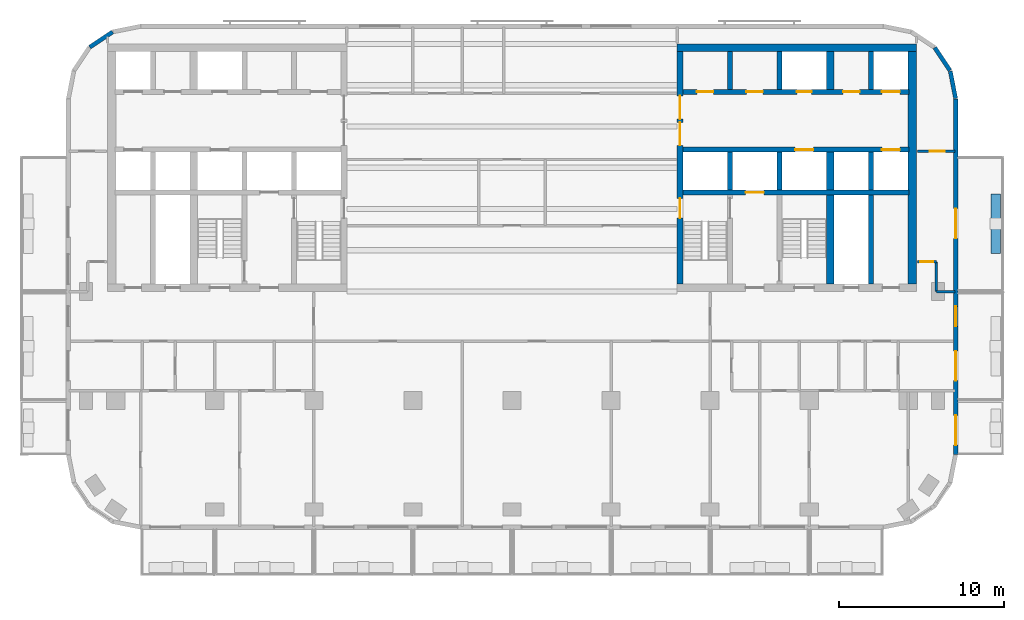
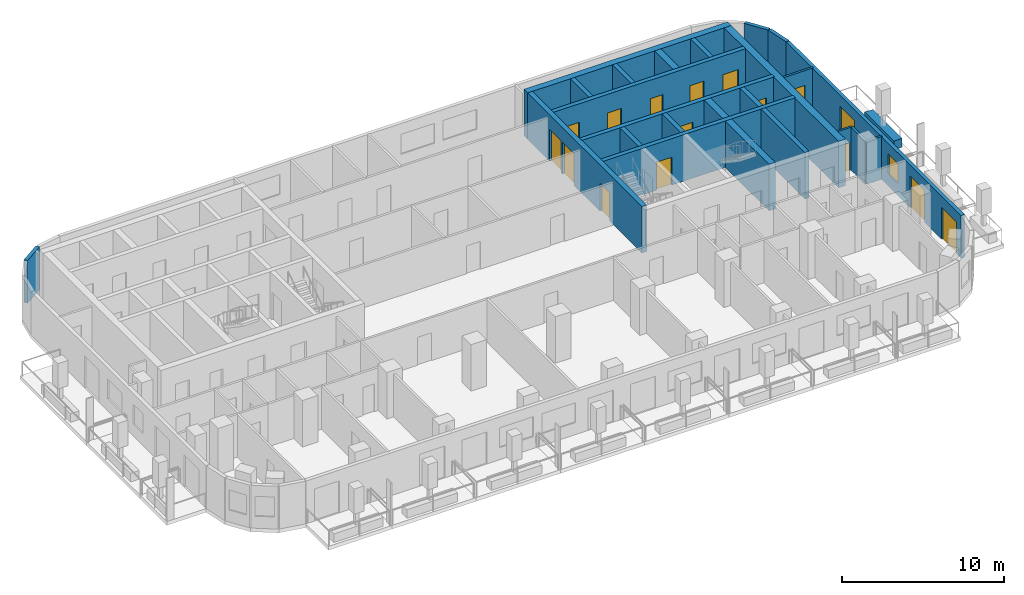
# One storey, part 6 of 11: 25 walls, 16 doors, 1 window, 17 openings.
"""IFC4 building model written with IfcOpenShell, lengths in metres."""

from ifc_helpers import new_model, si_unit, direction, frame, frame_2d, origin, place, context, subcontext, project, spatial, rectangle, extrude, material, layer, layer_set, type_object, element, fill, save


model = new_model("IFC4")

# Units and contexts
model_context = context("Model", 3, precision=1e-05, world=origin(), true_north=direction((0.0, 1.0)))
body_context = subcontext(model_context, "Body", "Model", "MODEL_VIEW")
ifc_project = project(units=[si_unit("LENGTHUNIT", "METRE"), si_unit("AREAUNIT", "SQUARE_METRE"), si_unit("VOLUMEUNIT", "CUBIC_METRE"), si_unit("PLANEANGLEUNIT", "RADIAN"), si_unit("MASSUNIT", "GRAM", prefix="KILO")], contexts=[model_context])

# Site, building, storey
site_placement = place(None, origin())
site = spatial("IfcSite", under=ifc_project, at=site_placement, CompositionType="ELEMENT")
building_placement = place(site_placement, origin())
building = spatial("IfcBuilding", under=site, at=building_placement, Name="Torana Hotel and Residences", CompositionType="ELEMENT")
storey_placement = place(building_placement, frame((0.0, 0.0, 232.60009765625)))
storey = spatial("IfcBuildingStorey", under=building, at=storey_placement, Name="L61", CompositionType="ELEMENT", Elevation=232.60009765625)

# Wall, openings, doors
ifc_material_1 = material(Name="Concrete C70/85", Category="concrete")
ifc_layer_1 = layer(ifc_material_1, 0.300048828125)
ifc_layer_set_1 = layer_set([ifc_layer_1], Name="CORE WALL 300 C70/85")
wall_type_1 = type_object("IfcWallType", Name="CORE WALL 300 C70/85", PredefinedType="SHEAR", material=ifc_layer_set_1)
wall_1_placement = place(storey_placement, frame((10.35009765625, -2.89990234375, 0.0), z_axis=(0.0, 0.0, 1.0), x_axis=(1.0, 0.0, 0.0)))
wall_1 = element("IfcWall", 1, at=wall_1_placement, inside=storey, type_object=wall_type_1, Name="Core wall E row-N", PredefinedType="SHEAR", context=body_context, shape_type="SweptSolid", body=[
    extrude(rectangle(XDim=13.699951171875, YDim=0.300048828125, at=frame_2d((6.85009765625, 0.0))), origin(), (0.0, 0.0, 1.0), 3.5),
])
opening_1_placement = place(wall_1_placement, frame((12.050048828125, 0.0, 0.0)))
opening_1 = element("IfcOpeningElement", 2, at=opening_1_placement, cuts=wall_1, Name="Opening LD", PredefinedType="OPENING", context=body_context, shape_type="SweptSolid", body=[
    extrude(rectangle(XDim=1.10009765625, YDim=2.10009765625, at=frame_2d((0.550048828125, 1.050048828125))), frame((0.0, 0.159912109375, 0.0), z_axis=(0.0, -1.0, 0.0), x_axis=(1.0, 0.0, 0.0)), (0.0, 0.0, 1.0), 0.320068359375),
])
opening_2_placement = place(wall_1_placement, frame((6.89990234375, 0.0, 0.0)))
opening_2 = element("IfcOpeningElement", 3, at=opening_2_placement, cuts=wall_1, Name="Opening L61-21", PredefinedType="OPENING", context=body_context, shape_type="SweptSolid", body=[
    extrude(rectangle(XDim=0.89990234375, YDim=2.10009765625, at=frame_2d((0.449951171875, 1.050048828125))), frame((0.0, 0.159912109375, 0.0), z_axis=(0.0, -1.0, 0.0), x_axis=(1.0, 0.0, 0.0)), (0.0, 0.0, 1.0), 0.320068359375),
])
opening_3_placement = place(wall_1_placement, frame((0.85009765625, 0.0, 0.0)))
opening_3 = element("IfcOpeningElement", 4, at=opening_3_placement, cuts=wall_1, Name="Opening L61-22", PredefinedType="OPENING", context=body_context, shape_type="SweptSolid", body=[
    extrude(rectangle(XDim=1.0, YDim=2.10009765625, at=frame_2d((0.5, 1.050048828125))), frame((0.0, 0.159912109375, 0.0), z_axis=(0.0, -1.0, 0.0), x_axis=(1.0, 0.0, 0.0)), (0.0, 0.0, 1.0), 0.320068359375),
])
opening_4_placement = place(wall_1_placement, frame((3.85009765625, 0.0, 0.0)))
opening_4 = element("IfcOpeningElement", 5, at=opening_4_placement, cuts=wall_1, Name="Opening L61-23", PredefinedType="OPENING", context=body_context, shape_type="SweptSolid", body=[
    extrude(rectangle(XDim=1.0, YDim=2.10009765625, at=frame_2d((0.5, 1.050048828125))), frame((0.0, 0.159912109375, 0.0), z_axis=(0.0, -1.0, 0.0), x_axis=(1.0, 0.0, 0.0)), (0.0, 0.0, 1.0), 0.320068359375),
])
opening_5_placement = place(wall_1_placement, frame((9.699951171875, 0.0, 0.0)))
opening_5 = element("IfcOpeningElement", 6, at=opening_5_placement, cuts=wall_1, Name="Opening L61-24", PredefinedType="OPENING", context=body_context, shape_type="SweptSolid", body=[
    extrude(rectangle(XDim=1.0, YDim=2.10009765625, at=frame_2d((0.5, 1.050048828125))), frame((0.0, 0.159912109375, 0.0), z_axis=(0.0, -1.0, 0.0), x_axis=(1.0, 0.0, 0.0)), (0.0, 0.0, 1.0), 0.320068359375),
])
ifc_material_2 = material(Name="Steel S235", Category="steel")
door_type_1 = type_object("IfcDoorType", Name="CORE ROOM FIRE DOOR D14 1000x2100", OperationType="SINGLE_SWING_LEFT", PredefinedType="DOOR", material=ifc_material_2)
door_1_placement = place(opening_3_placement, origin())
door_1 = element("IfcDoor", 7, at=door_1_placement, inside=storey, type_object=door_type_1, Name="N0 door L61", OperationType="SINGLE_SWING_RIGHT", OverallHeight=2.10009765625, OverallWidth=1.0, PredefinedType="DOOR", context=body_context, shape_type="SweptSolid", body=[
    extrude(rectangle(XDim=1.0, YDim=2.10009765625, at=frame_2d((0.5, 1.050048828125))), frame((0.0, 0.02490234375, 0.0), z_axis=(0.0, -1.0, 0.0), x_axis=(1.0, 0.0, 0.0)), (0.0, 0.0, 1.0), 0.050048828125),
])
fill(opening_3, door_1)
door_2_placement = place(opening_4_placement, origin())
door_2 = element("IfcDoor", 8, at=door_2_placement, inside=storey, type_object=door_type_1, Name="N1 door L61", OperationType="SINGLE_SWING_RIGHT", OverallHeight=2.10009765625, OverallWidth=1.0, PredefinedType="DOOR", context=body_context, shape_type="SweptSolid", body=[
    extrude(rectangle(XDim=1.0, YDim=2.10009765625, at=frame_2d((0.5, 1.050048828125))), frame((0.0, 0.02490234375, 0.0), z_axis=(0.0, -1.0, 0.0), x_axis=(1.0, 0.0, 0.0)), (0.0, 0.0, 1.0), 0.050048828125),
])
fill(opening_4, door_2)
door_3_placement = place(opening_5_placement, origin())
door_3 = element("IfcDoor", 9, at=door_3_placement, inside=storey, type_object=door_type_1, Name="Freed-S2 door L61", OperationType="SINGLE_SWING_RIGHT", OverallHeight=2.10009765625, OverallWidth=1.0, PredefinedType="DOOR", context=body_context, shape_type="SweptSolid", body=[
    extrude(rectangle(XDim=1.0, YDim=2.10009765625, at=frame_2d((0.5, 1.050048828125))), frame((0.0, 0.02490234375, 0.0), z_axis=(0.0, -1.0, 0.0), x_axis=(1.0, 0.0, 0.0)), (0.0, 0.0, 1.0), 0.050048828125),
])
fill(opening_5, door_3)
ifc_material_3 = material(Name="Stainless steel 316", Category="steel")
door_type_2 = type_object("IfcDoorType", Name="LIFT LANDING DOOR LD 1100x2100", OperationType="DOUBLE_DOOR_SLIDING", PredefinedType="USERDEFINED", material=ifc_material_3)
door_4_placement = place(opening_1_placement, origin())
door_4 = element("IfcDoor", 10, at=door_4_placement, inside=storey, type_object=door_type_2, Name="Lift landing door M3 L61", ObjectType="LIFT LANDING DOOR", OperationType="DOUBLE_DOOR_SLIDING", OverallHeight=2.10009765625, OverallWidth=1.10009765625, PredefinedType="USERDEFINED", context=body_context, shape_type="SweptSolid", body=[
    extrude(rectangle(XDim=1.10009765625, YDim=2.10009765625, at=frame_2d((0.550048828125, 1.050048828125))), frame((0.0, 0.02490234375, 0.0), z_axis=(0.0, -1.0, 0.0), x_axis=(1.0, 0.0, 0.0)), (0.0, 0.0, 1.0), 0.050048828125),
])
fill(opening_1, door_4)
ifc_material_4 = material(Name="Steel S235", Category="steel")
door_type_3 = type_object("IfcDoorType", Name="RISER ACCESS DOOR D5 900x2100", OperationType="SINGLE_SWING_LEFT", PredefinedType="DOOR", material=ifc_material_4)
door_5_placement = place(opening_2_placement, origin())
door_5 = element("IfcDoor", 11, at=door_5_placement, inside=storey, type_object=door_type_3, Name="N2 door L61", OperationType="SINGLE_SWING_RIGHT", OverallHeight=2.10009765625, OverallWidth=0.89990234375, PredefinedType="DOOR", context=body_context, shape_type="SweptSolid", body=[
    extrude(rectangle(XDim=0.89990234375, YDim=2.10009765625, at=frame_2d((0.449951171875, 1.050048828125))), frame((0.0, 0.02490234375, 0.0), z_axis=(0.0, -1.0, 0.0), x_axis=(1.0, 0.0, 0.0)), (0.0, 0.0, 1.0), 0.050048828125),
])
fill(opening_2, door_5)

wall_2_placement = place(storey_placement, frame((10.35009765625, -6.39990234375, 0.0), z_axis=(0.0, 0.0, 1.0), x_axis=(1.0, 0.0, 0.0)))
wall_2 = element("IfcWall", 12, at=wall_2_placement, inside=storey, type_object=wall_type_1, Name="Core wall E row-S", PredefinedType="SHEAR", context=body_context, shape_type="SweptSolid", body=[
    extrude(rectangle(XDim=13.699951171875, YDim=0.300048828125, at=frame_2d((6.85009765625, 0.0))), origin(), (0.0, 0.0, 1.0), 3.5),
])
opening_6_placement = place(wall_2_placement, frame((12.050048828125, 0.0, 0.0)))
opening_6 = element("IfcOpeningElement", 13, at=opening_6_placement, cuts=wall_2, Name="Opening LD", PredefinedType="OPENING", context=body_context, shape_type="SweptSolid", body=[
    extrude(rectangle(XDim=1.10009765625, YDim=2.10009765625, at=frame_2d((0.550048828125, 1.050048828125))), frame((0.0, 0.159912109375, 0.0), z_axis=(0.0, -1.0, 0.0), x_axis=(1.0, 0.0, 0.0)), (0.0, 0.0, 1.0), 0.320068359375),
])
opening_7_placement = place(wall_2_placement, frame((6.800048828125, 0.0, 0.0)))
opening_7 = element("IfcOpeningElement", 14, at=opening_7_placement, cuts=wall_2, Name="Opening LD", PredefinedType="OPENING", context=body_context, shape_type="SweptSolid", body=[
    extrude(rectangle(XDim=1.10009765625, YDim=2.10009765625, at=frame_2d((0.550048828125, 1.050048828125))), frame((0.0, 0.159912109375, 0.0), z_axis=(0.0, -1.0, 0.0), x_axis=(1.0, 0.0, 0.0)), (0.0, 0.0, 1.0), 0.320068359375),
])
door_6_placement = place(opening_6_placement, origin())
door_6 = element("IfcDoor", 15, at=door_6_placement, inside=storey, type_object=door_type_2, Name="Lift landing door M4 L61", ObjectType="LIFT LANDING DOOR", OperationType="DOUBLE_DOOR_SLIDING", OverallHeight=2.10009765625, OverallWidth=1.10009765625, PredefinedType="USERDEFINED", context=body_context, shape_type="SweptSolid", body=[
    extrude(rectangle(XDim=1.10009765625, YDim=2.10009765625, at=frame_2d((0.550048828125, 1.050048828125))), frame((0.0, 0.02490234375, 0.0), z_axis=(0.0, -1.0, 0.0), x_axis=(1.0, 0.0, 0.0)), (0.0, 0.0, 1.0), 0.050048828125),
])
fill(opening_6, door_6)
door_7_placement = place(opening_7_placement, origin())
door_7 = element("IfcDoor", 16, at=door_7_placement, inside=storey, type_object=door_type_2, Name="Lift landing door SV2 L61", ObjectType="LIFT LANDING DOOR", OperationType="DOUBLE_DOOR_SLIDING", OverallHeight=2.10009765625, OverallWidth=1.10009765625, PredefinedType="USERDEFINED", context=body_context, shape_type="SweptSolid", body=[
    extrude(rectangle(XDim=1.10009765625, YDim=2.10009765625, at=frame_2d((0.550048828125, 1.050048828125))), frame((0.0, 0.02490234375, 0.0), z_axis=(0.0, -1.0, 0.0), x_axis=(1.0, 0.0, 0.0)), (0.0, 0.0, 1.0), 0.050048828125),
])
fill(opening_7, door_7)

# Wall, opening, door
wall_3_placement = place(storey_placement, frame((10.35009765625, -9.0, 0.0), z_axis=(0.0, 0.0, 1.0), x_axis=(1.0, 0.0, 0.0)))
wall_3 = element("IfcWall", 17, at=wall_3_placement, inside=storey, type_object=wall_type_1, Name="Core wall E band", PredefinedType="SHEAR", context=body_context, shape_type="SweptSolid", body=[
    extrude(rectangle(XDim=13.699951171875, YDim=0.300048828125, at=frame_2d((6.85009765625, 0.0))), origin(), (0.0, 0.0, 1.0), 3.5),
])
opening_8_placement = place(wall_3_placement, frame((3.800048828125, 0.0, 0.0)))
opening_8 = element("IfcOpeningElement", 18, at=opening_8_placement, cuts=wall_3, Name="Opening LD", PredefinedType="OPENING", context=body_context, shape_type="SweptSolid", body=[
    extrude(rectangle(XDim=1.10009765625, YDim=2.10009765625, at=frame_2d((0.550048828125, 1.050048828125))), frame((0.0, 0.159912109375, 0.0), z_axis=(0.0, -1.0, 0.0), x_axis=(1.0, 0.0, 0.0)), (0.0, 0.0, 1.0), 0.320068359375),
])
door_8_placement = place(opening_8_placement, origin())
door_8 = element("IfcDoor", 19, at=door_8_placement, inside=storey, type_object=door_type_2, Name="Lift landing door FF2 L61", ObjectType="LIFT LANDING DOOR", OperationType="DOUBLE_DOOR_SLIDING", OverallHeight=2.10009765625, OverallWidth=1.10009765625, PredefinedType="USERDEFINED", context=body_context, shape_type="SweptSolid", body=[
    extrude(rectangle(XDim=1.10009765625, YDim=2.10009765625, at=frame_2d((0.550048828125, 1.050048828125))), frame((0.0, 0.02490234375, 0.0), z_axis=(0.0, -1.0, 0.0), x_axis=(1.0, 0.0, 0.0)), (0.0, 0.0, 1.0), 0.050048828125),
])
fill(opening_8, door_8)

# Walls
for number, where, z_axis, x_axis, name in (
    (20, (13.199951171875, -2.75, 0.0), (0.0, 0.0, 1.0), (0.0, 1.0, 0.0), "Core wall E x3.05-N"),
    (21, (13.199951171875, -8.85009765625, 0.0), (0.0, 0.0, 1.0), (0.0, 1.0, 0.0), "Core wall E x3.05-S"),
    (22, (16.199951171875, -2.75, 0.0), (0.0, 0.0, 1.0), (0.0, 1.0, 0.0), "Core wall E x6.05-N"),
    (23, (16.199951171875, -8.85009765625, 0.0), (0.0, 0.0, 1.0), (0.0, 1.0, 0.0), "Core wall E x6.05-S"),
    (24, (21.75, -2.75, 0.0), (0.0, 0.0, 1.0), (0.0, 1.0, 0.0), "Core wall E mm-N"),
    (25, (21.75, -8.85009765625, 0.0), (0.0, 0.0, 1.0), (0.0, 1.0, 0.0), "Core wall E mm-S"),
):
    element("IfcWall", number, at=place(storey_placement, frame(where, z_axis=z_axis, x_axis=x_axis)), inside=storey, type_object=wall_type_1, Name=name, PredefinedType="SHEAR", context=body_context, shape_type="SweptSolid", body=[
        extrude(rectangle(XDim=2.300048828125, YDim=0.300048828125, at=frame_2d((1.14990234375, 0.0))), origin(), (0.0, 0.0, 1.0), 3.5),
    ])
wall_4_placement = place(storey_placement, frame((21.75, -14.550048828125, 0.0), z_axis=(0.0, 0.0, 1.0), x_axis=(0.0, 1.0, 0.0)))
element("IfcWall", 26, at=wall_4_placement, inside=storey, type_object=wall_type_1, Name="Core wall E mm-band", PredefinedType="SHEAR", context=body_context, shape_type="SweptSolid", body=[
    extrude(rectangle(XDim=5.400146484375, YDim=0.300048828125, at=frame_2d((2.7001953125, 0.0))), origin(), (0.0, 0.0, 1.0), 3.5),
])

# Wall, openings, doors
ifc_material_5 = material(Name="Concrete C70/85", Category="concrete")
ifc_layer_2 = layer(ifc_material_5, 0.35009765625)
ifc_layer_set_2 = layer_set([ifc_layer_2], Name="CORE WALL 350 C70/85")
wall_type_2 = type_object("IfcWallType", Name="CORE WALL 350 C70/85", PredefinedType="SHEAR", material=ifc_layer_set_2)
wall_5_placement = place(storey_placement, frame((10.175048828125, -14.550048828125, 0.0), z_axis=(0.0, 0.0, 1.0), x_axis=(0.0, 1.0, 0.0)))
wall_5 = element("IfcWall", 27, at=wall_5_placement, inside=storey, type_object=wall_type_2, Name="Core wall E arch", PredefinedType="SHEAR", context=body_context, shape_type="SweptSolid", body=[
    extrude(rectangle(XDim=14.10009765625, YDim=0.35009765625, at=frame_2d((7.050048828125, 0.0))), origin(), (0.0, 0.0, 1.0), 3.5),
])
opening_9_placement = place(wall_5_placement, frame((8.39990234375, 0.0, 0.0)))
opening_9 = element("IfcOpeningElement", 28, at=opening_9_placement, cuts=wall_5, Name="Opening L61-14", PredefinedType="OPENING", context=body_context, shape_type="SweptSolid", body=[
    extrude(rectangle(XDim=1.39990234375, YDim=2.39990234375, at=frame_2d((0.699951171875, 1.199951171875))), frame((0.0, 0.18505859375, 0.0), z_axis=(0.0, -1.0, 0.0), x_axis=(1.0, 0.0, 0.0)), (0.0, 0.0, 1.0), 0.3701171875),
])
opening_10_placement = place(wall_5_placement, frame((10.0, 0.0, 0.0)))
opening_10 = element("IfcOpeningElement", 29, at=opening_10_placement, cuts=wall_5, Name="Opening L61-15", PredefinedType="OPENING", context=body_context, shape_type="SweptSolid", body=[
    extrude(rectangle(XDim=1.39990234375, YDim=2.39990234375, at=frame_2d((0.699951171875, 1.199951171875))), frame((0.0, 0.18505859375, 0.0), z_axis=(0.0, -1.0, 0.0), x_axis=(1.0, 0.0, 0.0)), (0.0, 0.0, 1.0), 0.3701171875),
])
opening_11_placement = place(wall_5_placement, frame((4.0, 0.0, 0.0)))
opening_11 = element("IfcOpeningElement", 30, at=opening_11_placement, cuts=wall_5, Name="Opening L61-16", PredefinedType="OPENING", context=body_context, shape_type="SweptSolid", body=[
    extrude(rectangle(XDim=1.199951171875, YDim=2.10009765625, at=frame_2d((0.60009765625, 1.050048828125))), frame((0.0, 0.18505859375, 0.0), z_axis=(0.0, -1.0, 0.0), x_axis=(1.0, 0.0, 0.0)), (0.0, 0.0, 1.0), 0.3701171875),
])
ifc_material_6 = material(Name="Steel S235", Category="steel")
door_type_4 = type_object("IfcDoorType", Name="LOBBY FIRE DOOR D4 1400x2400", OperationType="DOUBLE_DOOR_SINGLE_SWING", PredefinedType="DOOR", material=ifc_material_6)
door_9_placement = place(opening_9_placement, origin())
door_9 = element("IfcDoor", 31, at=door_9_placement, inside=storey, type_object=door_type_4, Name="Lobby-1 door L61", OperationType="DOUBLE_DOOR_SINGLE_SWING", OverallHeight=2.39990234375, OverallWidth=1.39990234375, PredefinedType="DOOR", context=body_context, shape_type="SweptSolid", body=[
    extrude(rectangle(XDim=1.39990234375, YDim=2.39990234375, at=frame_2d((0.699951171875, 1.199951171875))), frame((0.0, 0.02490234375, 0.0), z_axis=(0.0, -1.0, 0.0), x_axis=(1.0, 0.0, 0.0)), (0.0, 0.0, 1.0), 0.050048828125),
])
fill(opening_9, door_9)
door_10_placement = place(opening_10_placement, origin())
door_10 = element("IfcDoor", 32, at=door_10_placement, inside=storey, type_object=door_type_4, Name="Lobby-2 door L61", OperationType="DOUBLE_DOOR_SINGLE_SWING", OverallHeight=2.39990234375, OverallWidth=1.39990234375, PredefinedType="DOOR", context=body_context, shape_type="SweptSolid", body=[
    extrude(rectangle(XDim=1.39990234375, YDim=2.39990234375, at=frame_2d((0.699951171875, 1.199951171875))), frame((0.0, 0.02490234375, 0.0), z_axis=(0.0, -1.0, 0.0), x_axis=(1.0, 0.0, 0.0)), (0.0, 0.0, 1.0), 0.050048828125),
])
fill(opening_10, door_10)
ifc_material_7 = material(Name="Steel S235", Category="steel")
door_type_5 = type_object("IfcDoorType", Name="STAIR FIRE DOOR D3 1200x2100", OperationType="SINGLE_SWING_LEFT", PredefinedType="DOOR", material=ifc_material_7)
door_11_placement = place(opening_11_placement, frame((0.60009765625, 0.0, 0.0), z_axis=(0.0, 0.0, 1.0), x_axis=(-1.0, 0.0, 0.0)))
door_11 = element("IfcDoor", 33, at=door_11_placement, inside=storey, type_object=door_type_5, Name="Stair-A door L61", OperationType="SINGLE_SWING_RIGHT", OverallHeight=2.10009765625, OverallWidth=1.199951171875, PredefinedType="DOOR", context=body_context, shape_type="SweptSolid", body=[
    extrude(rectangle(XDim=1.199951171875, YDim=2.10009765625, at=frame_2d((0.0, 1.050048828125))), frame((0.0, -0.02490234375, 0.0), z_axis=(0.0, 1.0, 0.0), x_axis=(-1.0, 0.0, 0.0)), (0.0, 0.0, 1.0), 0.050048828125),
])
fill(opening_11, door_11)

# Walls
ifc_material_8 = material(Name="Concrete C70/85", Category="concrete")
ifc_layer_3 = layer(ifc_material_8, 0.449951171875)
ifc_layer_set_3 = layer_set([ifc_layer_3], Name="CORE WALL 450 C70/85")
wall_type_3 = type_object("IfcWallType", Name="CORE WALL 450 C70/85", PredefinedType="SHEAR", material=ifc_layer_set_3)
wall_6_placement = place(storey_placement, frame((10.0, -0.22509765625, 0.0), z_axis=(0.0, 0.0, 1.0), x_axis=(1.0, 0.0, 0.0)))
element("IfcWall", 34, at=wall_6_placement, inside=storey, type_object=wall_type_3, Name="Core wall E rear", PredefinedType="SHEAR", context=body_context, shape_type="SweptSolid", body=[
    extrude(rectangle(XDim=14.5, YDim=0.449951171875, at=frame_2d((7.25, 0.0))), origin(), (0.0, 0.0, 1.0), 3.5),
])
for number, where, z_axis, x_axis, name in (
    (35, (19.27490234375, -2.75, 0.0), (0.0, 0.0, 1.0), (0.0, 1.0, 0.0), "Core wall E hm-N"),
    (36, (19.27490234375, -8.85009765625, 0.0), (0.0, 0.0, 1.0), (0.0, 1.0, 0.0), "Core wall E hm-S"),
):
    element("IfcWall", number, at=place(storey_placement, frame(where, z_axis=z_axis, x_axis=x_axis)), inside=storey, type_object=wall_type_3, Name=name, PredefinedType="SHEAR", context=body_context, shape_type="SweptSolid", body=[
        extrude(rectangle(XDim=2.300048828125, YDim=0.449951171875, at=frame_2d((1.14990234375, 0.0))), origin(), (0.0, 0.0, 1.0), 3.5),
    ])
wall_7_placement = place(storey_placement, frame((19.27490234375, -14.550048828125, 0.0), z_axis=(0.0, 0.0, 1.0), x_axis=(0.0, 1.0, 0.0)))
element("IfcWall", 37, at=wall_7_placement, inside=storey, type_object=wall_type_3, Name="Core wall E hm-band", PredefinedType="SHEAR", context=body_context, shape_type="SweptSolid", body=[
    extrude(rectangle(XDim=5.400146484375, YDim=0.449951171875, at=frame_2d((2.7001953125, 0.0))), origin(), (0.0, 0.0, 1.0), 3.5),
])
ifc_material_9 = material(Name="Concrete C70/85", Category="concrete")
ifc_layer_4 = layer(ifc_material_9, 0.5)
ifc_layer_set_4 = layer_set([ifc_layer_4], Name="CORE WALL 500 C70/85")
wall_type_4 = type_object("IfcWallType", Name="CORE WALL 500 C70/85", PredefinedType="SHEAR", material=ifc_layer_set_4)
wall_8_placement = place(storey_placement, frame((24.25, -14.550048828125, 0.0), z_axis=(0.0, 0.0, 1.0), x_axis=(0.0, 1.0, 0.0)))
element("IfcWall", 38, at=wall_8_placement, inside=storey, type_object=wall_type_4, Name="Core wall E outer", PredefinedType="SHEAR", context=body_context, shape_type="SweptSolid", body=[
    extrude(rectangle(XDim=14.10009765625, YDim=0.5, at=frame_2d((7.050048828125, 0.0))), origin(), (0.0, 0.0, 1.0), 3.5),
])
ifc_material_10 = material(Name="Black aluminium composite panel", Category="aluminium")
ifc_layer_5 = layer(ifc_material_10, 0.00390625, Name="Cladding", Category="cladding")
ifc_material_11 = material(Name="Ventilated air cavity")
ifc_layer_6 = layer(ifc_material_11, 0.0400390625, Name="Ventilated cavity", Category="cavity")
ifc_material_12 = material(Name="Mineral wool insulation")
ifc_layer_7 = layer(ifc_material_12, 0.090087890625, Name="Insulation", Category="insulation")
ifc_material_13 = material(Name="Steel S280GD", Category="steel")
ifc_layer_8 = layer(ifc_material_13, 0.092041015625, Name="Steel stud frame", Category="structure")
ifc_material_14 = material(Name="Fire rated plasterboard")
ifc_layer_9 = layer(ifc_material_14, 0.011962890625, Name="Inner board", Category="finish")
ifc_layer_10 = layer(ifc_material_14, 0.011962890625, Name="Second board", Category="finish")
ifc_layer_set_5 = layer_set([ifc_layer_5, ifc_layer_6, ifc_layer_7, ifc_layer_8, ifc_layer_9, ifc_layer_10], Name="EW1 EXTERNAL WALL BLACK METAL CLAD 250")
wall_type_5 = type_object("IfcWallType", Name="EW1 EXTERNAL WALL BLACK METAL CLAD 250", PredefinedType="SOLIDWALL", material=ifc_layer_set_5)
wall_9_placement = place(storey_placement, frame((26.87255859375, -3.30029296875, 0.0), z_axis=(0.0, 0.0, 1.0), x_axis=(-0.194999110559, 0.980803419081, 0.0)))
element("IfcWall", 39, at=wall_9_placement, inside=storey, type_object=wall_type_5, Name="External wall L61 e0.0", PredefinedType="SOLIDWALL", context=body_context, shape_type="SweptSolid", body=[
    extrude(rectangle(XDim=1.681396484375, YDim=0.25, at=frame_2d((0.8408203125, 0.0))), origin(), (0.0, 0.0, 1.0), 3.219970703125),
])
for number, where, z_axis, x_axis, name in (
    (40, (26.52587890625, -1.60595703125, 0.0), (0.0, 0.0, 1.0), (-0.55555029066, 0.831482937015, 0.0), "External wall L61 e0.1"),
    (41, (-24.194091796875, 0.725830078125, 0.0), (0.0, 0.0, 1.0), (-0.831482937015, -0.55555029066, 0.0), "External wall L61 e0.6"),
):
    element("IfcWall", number, at=place(storey_placement, frame(where, z_axis=z_axis, x_axis=x_axis)), inside=storey, type_object=wall_type_5, Name=name, PredefinedType="SOLIDWALL", context=body_context, shape_type="SweptSolid", body=[
        extrude(rectangle(XDim=1.65625, YDim=0.25, at=frame_2d((0.828125, 0.0))), origin(), (0.0, 0.0, 1.0), 3.219970703125),
    ])

# Wall, openings, doors, window
wall_10_placement = place(storey_placement, frame((26.875, -24.87548828125, 0.0), z_axis=(0.0, 0.0, 1.0), x_axis=(0.0, 1.0, 0.0)))
wall_10 = element("IfcWall", 42, at=wall_10_placement, inside=storey, type_object=wall_type_5, Name="External wall L61 e0.19", PredefinedType="SOLIDWALL", context=body_context, shape_type="SweptSolid", body=[
    extrude(rectangle(XDim=21.55078125, YDim=0.25, at=frame_2d((10.775390625, 0.0))), origin(), (0.0, 0.0, 1.0), 3.219970703125),
])
opening_12_placement = place(wall_10_placement, frame((0.575439453125, 0.0, 0.0)))
opening_12 = element("IfcOpeningElement", 43, at=opening_12_placement, cuts=wall_10, Name="Opening L61-E09", PredefinedType="OPENING", context=body_context, shape_type="SweptSolid", body=[
    extrude(rectangle(XDim=1.800048828125, YDim=2.39990234375, at=frame_2d((0.89990234375, 1.199951171875))), frame((0.0, 0.135009765625, 0.0), z_axis=(0.0, -1.0, 0.0), x_axis=(1.0, 0.0, 0.0)), (0.0, 0.0, 1.0), 0.27001953125),
])
opening_13_placement = place(wall_10_placement, frame((4.475341796875, 0.0, 0.0)))
opening_13 = element("IfcOpeningElement", 44, at=opening_13_placement, cuts=wall_10, Name="Opening L61-E10", PredefinedType="OPENING", context=body_context, shape_type="SweptSolid", body=[
    extrude(rectangle(XDim=1.800048828125, YDim=2.39990234375, at=frame_2d((0.89990234375, 1.199951171875))), frame((0.0, 0.135009765625, 0.0), z_axis=(0.0, -1.0, 0.0), x_axis=(1.0, 0.0, 0.0)), (0.0, 0.0, 1.0), 0.27001953125),
])
opening_14_placement = place(wall_10_placement, frame((7.775390625, 0.0, 0.89990234375)))
opening_14 = element("IfcOpeningElement", 45, at=opening_14_placement, cuts=wall_10, Name="Opening W5", PredefinedType="OPENING", context=body_context, shape_type="SweptSolid", body=[
    extrude(rectangle(XDim=1.199951171875, YDim=1.5, at=frame_2d((0.60009765625, 0.75))), frame((0.0, 0.135009765625, 0.0), z_axis=(0.0, -1.0, 0.0), x_axis=(1.0, 0.0, 0.0)), (0.0, 0.0, 1.0), 0.27001953125),
])
opening_15_placement = place(wall_10_placement, frame((13.100341796875, 0.0, 0.0)))
opening_15 = element("IfcOpeningElement", 46, at=opening_15_placement, cuts=wall_10, Name="Opening L61-E11", PredefinedType="OPENING", context=body_context, shape_type="SweptSolid", body=[
    extrude(rectangle(XDim=1.800048828125, YDim=2.39990234375, at=frame_2d((0.89990234375, 1.199951171875))), frame((0.0, 0.135009765625, 0.0), z_axis=(0.0, -1.0, 0.0), x_axis=(1.0, 0.0, 0.0)), (0.0, 0.0, 1.0), 0.27001953125),
])
ifc_material_15 = material(Name="Dark glass in black aluminium frame", Category="aluminium")
door_type_6 = type_object("IfcDoorType", Name="DB1 BALCONY DOOR 1800x2400", OperationType="DOUBLE_DOOR_SINGLE_SWING", PredefinedType="DOOR", material=ifc_material_15)
door_12_placement = place(opening_12_placement, origin())
door_12 = element("IfcDoor", 47, at=door_12_placement, inside=storey, type_object=door_type_6, Name="Balcony door L61", OperationType="DOUBLE_DOOR_SINGLE_SWING", OverallHeight=2.39990234375, OverallWidth=1.800048828125, PredefinedType="DOOR", context=body_context, shape_type="SweptSolid", body=[
    extrude(rectangle(XDim=1.800048828125, YDim=2.39990234375, at=frame_2d((0.89990234375, 1.199951171875))), frame((0.0, 0.02490234375, 0.0), z_axis=(0.0, -1.0, 0.0), x_axis=(1.0, 0.0, 0.0)), (0.0, 0.0, 1.0), 0.050048828125),
])
fill(opening_12, door_12)
door_13_placement = place(opening_13_placement, origin())
door_13 = element("IfcDoor", 48, at=door_13_placement, inside=storey, type_object=door_type_6, Name="Balcony door L61", OperationType="DOUBLE_DOOR_SINGLE_SWING", OverallHeight=2.39990234375, OverallWidth=1.800048828125, PredefinedType="DOOR", context=body_context, shape_type="SweptSolid", body=[
    extrude(rectangle(XDim=1.800048828125, YDim=2.39990234375, at=frame_2d((0.89990234375, 1.199951171875))), frame((0.0, 0.02490234375, 0.0), z_axis=(0.0, -1.0, 0.0), x_axis=(1.0, 0.0, 0.0)), (0.0, 0.0, 1.0), 0.050048828125),
])
fill(opening_13, door_13)
door_14_placement = place(opening_15_placement, origin())
door_14 = element("IfcDoor", 49, at=door_14_placement, inside=storey, type_object=door_type_6, Name="Balcony door L61", OperationType="DOUBLE_DOOR_SINGLE_SWING", OverallHeight=2.39990234375, OverallWidth=1.800048828125, PredefinedType="DOOR", context=body_context, shape_type="SweptSolid", body=[
    extrude(rectangle(XDim=1.800048828125, YDim=2.39990234375, at=frame_2d((0.89990234375, 1.199951171875))), frame((0.0, 0.02490234375, 0.0), z_axis=(0.0, -1.0, 0.0), x_axis=(1.0, 0.0, 0.0)), (0.0, 0.0, 1.0), 0.050048828125),
])
fill(opening_15, door_14)
ifc_material_16 = material(Name="Dark glass in black aluminium frame", Category="aluminium")
window_type = type_object("IfcWindowType", Name="W5 CORNER FACET WINDOW 1200x1500", PartitioningType="SINGLE_PANEL", PredefinedType="WINDOW", material=ifc_material_16)
window_placement = place(opening_14_placement, origin())
window = element("IfcWindow", 50, at=window_placement, inside=storey, type_object=window_type, Name="Window L61", OverallHeight=1.5, OverallWidth=1.199951171875, PartitioningType="SINGLE_PANEL", PredefinedType="WINDOW", context=body_context, shape_type="SweptSolid", body=[
    extrude(rectangle(XDim=1.199951171875, YDim=1.5, at=frame_2d((0.60009765625, 0.75))), frame((0.0, 0.030029296875, 0.0), z_axis=(0.0, -1.0, 0.0), x_axis=(1.0, 0.0, 0.0)), (0.0, 0.0, 1.0), 0.06005859375),
])
fill(opening_14, window)

# Walls
ifc_material_17 = material(Name="Gypsum plaster")
ifc_layer_11 = layer(ifc_material_17, 0.014892578125, Name="Plaster", Category="finish")
ifc_material_18 = material(Name="Concrete blockwork", Category="masonry")
ifc_layer_12 = layer(ifc_material_18, 0.1201171875, Name="Blockwork", Category="structure")
ifc_layer_13 = layer(ifc_material_17, 0.014892578125, Name="Plaster", Category="finish")
ifc_layer_set_6 = layer_set([ifc_layer_11, ifc_layer_12, ifc_layer_13], Name="FIRE PARTITION 150 BLOCKWORK")
wall_type_6 = type_object("IfcWallType", Name="FIRE PARTITION 150 BLOCKWORK", PredefinedType="PARTITIONING", material=ifc_layer_set_6)
wall_11_placement = place(storey_placement, frame((25.699951171875, -15.0, 0.0), z_axis=(0.0, 0.0, 1.0), x_axis=(0.0, 1.0, 0.0)))
element("IfcWall", 51, at=wall_11_placement, inside=storey, type_object=wall_type_6, Name="Partition L61", PredefinedType="PARTITIONING", context=body_context, shape_type="SweptSolid", body=[
    extrude(rectangle(XDim=1.800048828125, YDim=0.14990234375, at=frame_2d((0.89990234375, 0.0))), origin(), (0.0, 0.0, 1.0), 3.219970703125),
])
wall_12_placement = place(storey_placement, frame((25.699951171875, -15.0, 0.0), z_axis=(0.0, 0.0, 1.0), x_axis=(1.0, 0.0, 0.0)))
element("IfcWall", 52, at=wall_12_placement, inside=storey, type_object=wall_type_6, Name="Partition L61", PredefinedType="PARTITIONING", context=body_context, shape_type="SweptSolid", body=[
    extrude(rectangle(XDim=1.1201171875, YDim=0.14990234375, at=frame_2d((0.56005859375, 0.0))), origin(), (0.0, 0.0, 1.0), 3.219970703125),
])

# Wall, opening, door
wall_13_placement = place(storey_placement, frame((24.550048828125, -13.199951171875, 0.0), z_axis=(0.0, 0.0, 1.0), x_axis=(1.0, 0.0, 0.0)))
wall_13 = element("IfcWall", 53, at=wall_13_placement, inside=storey, type_object=wall_type_6, Name="Partition L61", PredefinedType="PARTITIONING", context=body_context, shape_type="SweptSolid", body=[
    extrude(rectangle(XDim=1.14990234375, YDim=0.14990234375, at=frame_2d((0.574951171875, 0.0))), origin(), (0.0, 0.0, 1.0), 3.219970703125),
])
opening_16_placement = place(wall_13_placement, frame((0.175048828125, 0.0, 0.0)))
opening_16 = element("IfcOpeningElement", 54, at=opening_16_placement, cuts=wall_13, Name="Opening L61-35", PredefinedType="OPENING", context=body_context, shape_type="SweptSolid", body=[
    extrude(rectangle(XDim=0.800048828125, YDim=2.10009765625, at=frame_2d((0.39990234375, 1.050048828125))), frame((0.0, 0.0849609375, 0.0), z_axis=(0.0, -1.0, 0.0), x_axis=(1.0, 0.0, 0.0)), (0.0, 0.0, 1.0), 0.169921875),
])
ifc_material_19 = material(Name="Steel S235", Category="steel")
door_type_7 = type_object("IfcDoorType", Name="STORE FIRE DOOR D16 800x2100", OperationType="SINGLE_SWING_LEFT", PredefinedType="DOOR", material=ifc_material_19)
door_15_placement = place(opening_16_placement, origin())
door_15 = element("IfcDoor", 55, at=door_15_placement, inside=storey, type_object=door_type_7, Name="Door L61", OperationType="SINGLE_SWING_RIGHT", OverallHeight=2.10009765625, OverallWidth=0.800048828125, PredefinedType="DOOR", context=body_context, shape_type="SweptSolid", body=[
    extrude(rectangle(XDim=0.800048828125, YDim=2.10009765625, at=frame_2d((0.39990234375, 1.050048828125))), frame((0.0, 0.02490234375, 0.0), z_axis=(0.0, -1.0, 0.0), x_axis=(1.0, 0.0, 0.0)), (0.0, 0.0, 1.0), 0.050048828125),
])
fill(opening_16, door_15)

# Wall
ifc_material_20 = material(Name="Concrete C40/50 precast", Category="concrete")
ifc_layer_14 = layer(ifc_material_20, 0.10009765625, Name="Planter shell", Category="structure")
ifc_material_21 = material(Name="Root resistant membrane")
ifc_layer_15 = layer(ifc_material_21, 0.00390625, Name="Waterproofing membrane", Category="membrane")
ifc_material_22 = material(Name="Drainage board with filter fleece")
ifc_layer_16 = layer(ifc_material_22, 0.02001953125, Name="Drainage board", Category="drainage")
ifc_material_23 = material(Name="Growing medium")
ifc_layer_17 = layer(ifc_material_23, 0.47607421875, Name="Planting substrate", Category="soil")
ifc_layer_set_7 = layer_set([ifc_layer_14, ifc_layer_15, ifc_layer_16, ifc_layer_17], Name="PL1 BALCONY PLANTER 600")
wall_type_7 = type_object("IfcWallType", Name="PL1 BALCONY PLANTER 600", PredefinedType="USERDEFINED", material=ifc_layer_set_7)
wall_14_placement = place(storey_placement, frame((29.300048828125, -9.10009765625, 0.0), z_axis=(0.0, 0.0, 1.0), x_axis=(0.0, -1.0, 0.0)))
element("IfcWall", 56, at=wall_14_placement, inside=storey, type_object=wall_type_7, Name="Planter 14", ObjectType="PLANTER", PredefinedType="USERDEFINED", context=body_context, shape_type="SweptSolid", body=[
    extrude(rectangle(XDim=3.599853515625, YDim=0.60009765625, at=frame_2d((1.7998046875, 0.0))), origin(), (0.0, 0.0, 1.0), 0.64990234375),
])

# Wall, opening, door
ifc_material_24 = material(Name="Ceramic tile on adhesive")
ifc_layer_18 = layer(ifc_material_24, 0.010009765625, Name="Wall tile", Category="finish")
ifc_material_25 = material(Name="Cement render")
ifc_layer_19 = layer(ifc_material_25, 0.010009765625, Name="Render", Category="finish")
ifc_layer_20 = layer(ifc_material_18, 0.110107421875, Name="Blockwork", Category="structure")
ifc_layer_21 = layer(ifc_material_25, 0.010009765625, Name="Render", Category="finish")
ifc_layer_22 = layer(ifc_material_24, 0.010009765625, Name="Wall tile", Category="finish")
ifc_layer_set_8 = layer_set([ifc_layer_18, ifc_layer_19, ifc_layer_20, ifc_layer_21, ifc_layer_22], Name="WC PARTITION 150")
wall_type_8 = type_object("IfcWallType", Name="WC PARTITION 150", PredefinedType="PLUMBINGWALL", material=ifc_layer_set_8)
wall_15_placement = place(storey_placement, frame((24.550048828125, -6.5, 0.0), z_axis=(0.0, 0.0, 1.0), x_axis=(1.0, 0.0, 0.0)))
wall_15 = element("IfcWall", 57, at=wall_15_placement, inside=storey, type_object=wall_type_8, Name="Partition L61", PredefinedType="PLUMBINGWALL", context=body_context, shape_type="SweptSolid", body=[
    extrude(rectangle(XDim=2.27001953125, YDim=0.14990234375, at=frame_2d((1.135009765625, 0.0))), origin(), (0.0, 0.0, 1.0), 3.219970703125),
])
opening_17_placement = place(wall_15_placement, frame((0.75, 0.0, 0.0)))
opening_17 = element("IfcOpeningElement", 58, at=opening_17_placement, cuts=wall_15, Name="Opening L61-61", PredefinedType="OPENING", context=body_context, shape_type="SweptSolid", body=[
    extrude(rectangle(XDim=0.89990234375, YDim=2.10009765625, at=frame_2d((0.449951171875, 1.050048828125))), frame((0.0, 0.0849609375, 0.0), z_axis=(0.0, -1.0, 0.0), x_axis=(1.0, 0.0, 0.0)), (0.0, 0.0, 1.0), 0.169921875),
])
ifc_material_26 = material(Name="Timber door, oiled ash", Category="wood")
door_type_8 = type_object("IfcDoorType", Name="ROOM DOOR D7 900x2100", OperationType="SINGLE_SWING_LEFT", PredefinedType="DOOR", material=ifc_material_26)
door_16_placement = place(opening_17_placement, origin())
door_16 = element("IfcDoor", 59, at=door_16_placement, inside=storey, type_object=door_type_8, Name="Door L61", OperationType="SINGLE_SWING_LEFT", OverallHeight=2.10009765625, OverallWidth=0.89990234375, PredefinedType="DOOR", context=body_context, shape_type="SweptSolid", body=[
    extrude(rectangle(XDim=0.89990234375, YDim=2.10009765625, at=frame_2d((0.449951171875, 1.050048828125))), frame((0.0, 0.02490234375, 0.0), z_axis=(0.0, -1.0, 0.0), x_axis=(1.0, 0.0, 0.0)), (0.0, 0.0, 1.0), 0.050048828125),
])
fill(opening_17, door_16)

save(model, "model.ifc")
